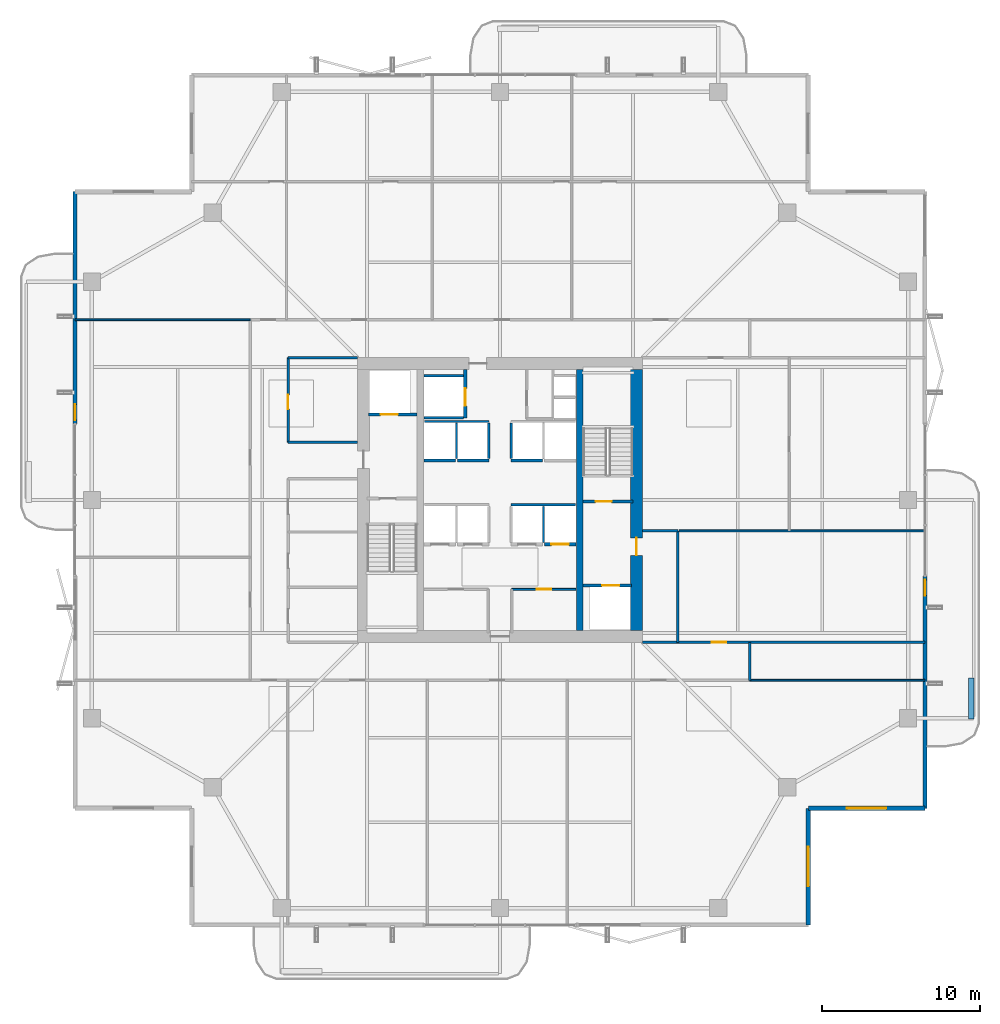
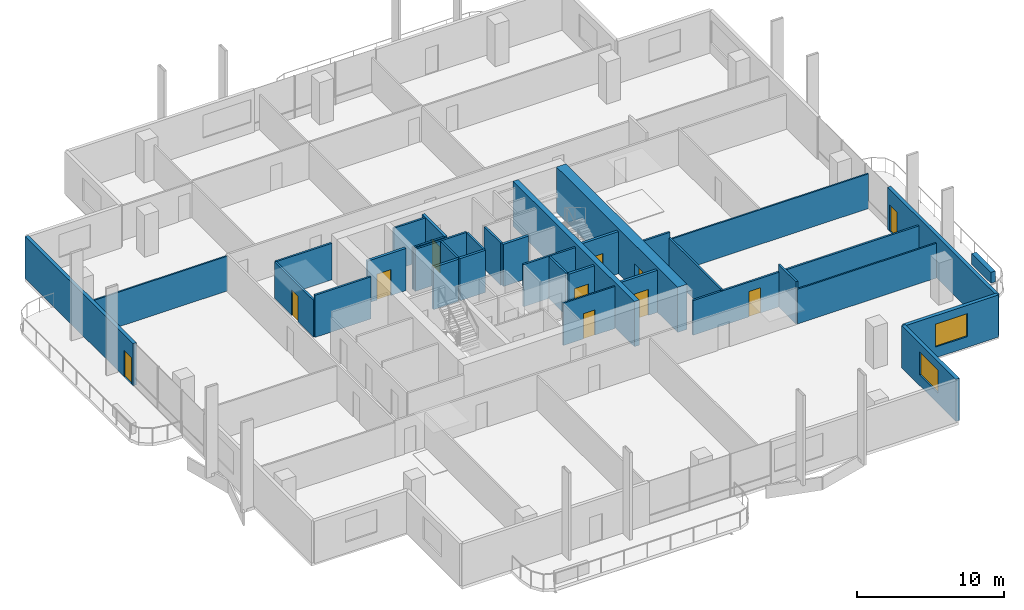
# One storey, part 18 of 24: 34 walls, 11 doors, 2 windows, 13 openings.
"""IFC4 building model written with IfcOpenShell, lengths in metres."""

from ifc_helpers import new_model, si_unit, direction, frame, frame_2d, origin, place, context, subcontext, project, spatial, rectangle, extrude, material, layer, layer_set, type_object, element, fill, save


model = new_model("IFC4")

# Units and contexts
model_context = context("Model", 3, precision=1e-05, world=origin(), true_north=direction((0.0, 1.0)))
body_context = subcontext(model_context, "Body", "Model", "MODEL_VIEW")
ifc_project = project(units=[si_unit("LENGTHUNIT", "METRE"), si_unit("AREAUNIT", "SQUARE_METRE"), si_unit("VOLUMEUNIT", "CUBIC_METRE"), si_unit("PLANEANGLEUNIT", "RADIAN"), si_unit("MASSUNIT", "GRAM", prefix="KILO")], contexts=[model_context])

# Site, building, storey
site_placement = place(None, origin())
site = spatial("IfcSite", under=ifc_project, at=site_placement, CompositionType="ELEMENT")
building_placement = place(site_placement, origin())
building = spatial("IfcBuilding", under=site, at=building_placement, Name="Belovzor Exchange Tower", CompositionType="ELEMENT")
storey_placement = place(building_placement, frame((0.0, 0.0, 218.699951171875)))
storey = spatial("IfcBuildingStorey", under=building, at=storey_placement, Name="L54", CompositionType="ELEMENT", Elevation=218.699951171875)

# Walls
ifc_material_1 = material(Name="Acoustic Plasterboard on Galvanised Studs", Category="gypsum")
ifc_layer_1 = layer(ifc_material_1, 0.1201171875)
ifc_layer_set_1 = layer_set([ifc_layer_1], Name="Acoustic Plasterboard on Galvanised Studs")
wall_type_1 = type_object("IfcWallType", Name="Acoustic Double-Stud Partition Wall 120", PredefinedType="PARTITIONING", material=ifc_layer_set_1)
wall_1_placement = place(storey_placement, frame((40.125, 26.85009765625, 0.0), z_axis=(0.0, 0.0, 1.0), x_axis=(1.0, 0.0, 0.0)))
element("IfcWall", 1, at=wall_1_placement, inside=storey, type_object=wall_type_1, Name="W-P120 Partition Wall W-L54-EDIV-1", PredefinedType="PARTITIONING", context=body_context, shape_type="SweptSolid", body=[
    extrude(rectangle(XDim=15.544921875, YDim=0.1201171875, at=frame_2d((7.7724609375, 0.0))), origin(), (0.0, 0.0, 1.0), 2.885009765625),
])
wall_2_placement = place(storey_placement, frame((44.60009765625, 17.39990234375, 0.0), z_axis=(0.0, 0.0, 1.0), x_axis=(1.0, 0.0, 0.0)))
element("IfcWall", 2, at=wall_2_placement, inside=storey, type_object=wall_type_1, Name="W-P120 Partition Wall W-L54-END-SE", PredefinedType="PARTITIONING", context=body_context, shape_type="SweptSolid", body=[
    extrude(rectangle(XDim=11.06982421875, YDim=0.1201171875, at=frame_2d((5.534912109375, 0.0))), origin(), (0.0, 0.0, 1.0), 2.885009765625),
])
wall_3_placement = place(storey_placement, frame((1.929931640625, 40.199951171875, 0.0), z_axis=(0.0, 0.0, 1.0), x_axis=(1.0, 0.0, 0.0)))
element("IfcWall", 3, at=wall_3_placement, inside=storey, type_object=wall_type_1, Name="W-P120 Partition Wall W-L54-END-NW", PredefinedType="PARTITIONING", context=body_context, shape_type="SweptSolid", body=[
    extrude(rectangle(XDim=11.070068359375, YDim=0.1201171875, at=frame_2d((5.53515625, 0.0))), origin(), (0.0, 0.0, 1.0), 2.885009765625),
])

# Wall, opening, door
ifc_material_2 = material(Name="Fire-Rated Plasterboard on Galvanised Studs", Category="gypsum")
ifc_layer_2 = layer(ifc_material_2, 0.1201171875)
ifc_layer_set_2 = layer_set([ifc_layer_2], Name="Fire-Rated Plasterboard on Galvanised Studs")
wall_type_2 = type_object("IfcWallType", Name="Fire-Rated Double-Stud Partition Wall 120", PredefinedType="PARTITIONING", material=ifc_layer_set_2)
wall_4_placement = place(storey_placement, frame((29.550048828125, 23.14990234375, 0.0), z_axis=(0.0, 0.0, 1.0), x_axis=(1.0, 0.0, 0.0)))
wall_4 = element("IfcWall", 4, at=wall_4_placement, inside=storey, type_object=wall_type_2, Name="W-P120F Partition Wall W-CRL-L54-EN", PredefinedType="PARTITIONING", context=body_context, shape_type="SweptSolid", body=[
    extrude(rectangle(XDim=4.050048828125, YDim=0.1201171875, at=frame_2d((2.02490234375, 0.0))), origin(), (0.0, 0.0, 1.0), 3.5),
])
opening_1_placement = place(wall_4_placement, frame((1.574951171875, 0.0, 0.0)))
opening_1 = element("IfcOpeningElement", 5, at=opening_1_placement, cuts=wall_4, Name="Opening D-FD60-090", PredefinedType="OPENING", context=body_context, shape_type="SweptSolid", body=[
    extrude(rectangle(XDim=0.89990234375, YDim=2.10009765625, at=frame_2d((0.449951171875, 1.050048828125))), frame((0.0, 0.070068359375, 0.0), z_axis=(0.0, -1.0, 0.0), x_axis=(1.0, 0.0, 0.0)), (0.0, 0.0, 1.0), 0.14013671875),
])
ifc_material_3 = material(Name="Acoustic Timber Fire Leaf", Category="wood")
door_type_1 = type_object("IfcDoorType", Name="Core Service & Restroom Fire Door 900x2100", OperationType="NOTDEFINED", PredefinedType="DOOR", material=ifc_material_3)
door_1_placement = place(opening_1_placement, origin())
door_1 = element("IfcDoor", 6, at=door_1_placement, inside=storey, type_object=door_type_1, Name="D-FD60-090 Core Service & Restroom Fire Door 900x2100", OperationType="SINGLE_SWING_RIGHT", OverallHeight=2.10009765625, OverallWidth=0.89990234375, PredefinedType="DOOR", context=body_context, shape_type="SweptSolid", body=[
    extrude(rectangle(XDim=0.89990234375, YDim=2.10009765625, at=frame_2d((0.449951171875, 1.050048828125))), frame((0.0, 0.02490234375, 0.0), z_axis=(0.0, -1.0, 0.0), x_axis=(1.0, 0.0, 0.0)), (0.0, 0.0, 1.0), 0.050048828125),
])
fill(opening_1, door_1)

# Walls
ifc_material_4 = material(Name="Fire-Rated Gypsum Block and Mineral Wool", Category="gypsum")
ifc_layer_3 = layer(ifc_material_4, 0.14990234375)
ifc_layer_set_3 = layer_set([ifc_layer_3], Name="Fire-Rated Gypsum Block and Mineral Wool")
wall_type_3 = type_object("IfcWallType", Name="Fire-Rated Gypsum Block Corridor Wall 150", PredefinedType="PARTITIONING", material=ifc_layer_set_3)
wall_5_placement = place(storey_placement, frame((15.39990234375, 32.449951171875, 0.0), z_axis=(0.0, 0.0, 1.0), x_axis=(1.0, 0.0, 0.0)))
element("IfcWall", 7, at=wall_5_placement, inside=storey, type_object=wall_type_3, Name="W-P150 Partition Wall W-L54-CFW-N", PredefinedType="PARTITIONING", context=body_context, shape_type="SweptSolid", body=[
    extrude(rectangle(XDim=4.400146484375, YDim=0.14990234375, at=frame_2d((2.2001953125, 0.0))), origin(), (0.0, 0.0, 1.0), 3.5),
])
wall_6_placement = place(storey_placement, frame((15.39990234375, 37.800048828125, 0.0), z_axis=(0.0, 0.0, 1.0), x_axis=(1.0, 0.0, 0.0)))
element("IfcWall", 8, at=wall_6_placement, inside=storey, type_object=wall_type_3, Name="W-P150 Partition Wall W-L54-INW-N", PredefinedType="PARTITIONING", context=body_context, shape_type="SweptSolid", body=[
    extrude(rectangle(XDim=4.400146484375, YDim=0.14990234375, at=frame_2d((2.2001953125, 0.0))), origin(), (0.0, 0.0, 1.0), 3.03515625),
])

# Wall, opening, door
wall_7_placement = place(storey_placement, frame((15.39990234375, 32.449951171875, 0.0), z_axis=(0.0, 0.0, 1.0), x_axis=(0.0, 1.0, 0.0)))
wall_7 = element("IfcWall", 9, at=wall_7_placement, inside=storey, type_object=wall_type_3, Name="W-P150 Partition Wall W-L54-WIE-N", PredefinedType="PARTITIONING", context=body_context, shape_type="SweptSolid", body=[
    extrude(rectangle(XDim=5.35009765625, YDim=0.14990234375, at=frame_2d((2.675048828125, 0.0))), origin(), (0.0, 0.0, 1.0), 3.03515625),
])
opening_2_placement = place(wall_7_placement, frame((2.10009765625, 0.0, 0.0)))
opening_2 = element("IfcOpeningElement", 10, at=opening_2_placement, cuts=wall_7, Name="Opening D-FD60-090", PredefinedType="OPENING", context=body_context, shape_type="SweptSolid", body=[
    extrude(rectangle(XDim=0.89990234375, YDim=2.10009765625, at=frame_2d((0.449951171875, 1.050048828125))), frame((0.0, 0.0849609375, 0.0), z_axis=(0.0, -1.0, 0.0), x_axis=(1.0, 0.0, 0.0)), (0.0, 0.0, 1.0), 0.169921875),
])
door_2_placement = place(opening_2_placement, origin())
door_2 = element("IfcDoor", 11, at=door_2_placement, inside=storey, type_object=door_type_1, Name="D-FD60-090 Core Service & Restroom Fire Door 900x2100", OperationType="SINGLE_SWING_LEFT", OverallHeight=2.10009765625, OverallWidth=0.89990234375, PredefinedType="DOOR", context=body_context, shape_type="SweptSolid", body=[
    extrude(rectangle(XDim=0.89990234375, YDim=2.10009765625, at=frame_2d((0.449951171875, 1.050048828125))), frame((0.0, 0.02490234375, 0.0), z_axis=(0.0, -1.0, 0.0), x_axis=(1.0, 0.0, 0.0)), (0.0, 0.0, 1.0), 0.050048828125),
])
fill(opening_2, door_2)

# Walls
wall_8_placement = place(storey_placement, frame((37.800048828125, 26.85009765625, 0.0), z_axis=(0.0, 0.0, 1.0), x_axis=(1.0, 0.0, 0.0)))
element("IfcWall", 12, at=wall_8_placement, inside=storey, type_object=wall_type_3, Name="W-P150 Partition Wall W-L54-CFE-N", PredefinedType="PARTITIONING", context=body_context, shape_type="SweptSolid", body=[
    extrude(rectangle(XDim=2.25, YDim=0.14990234375, at=frame_2d((1.125, 0.0))), origin(), (0.0, 0.0, 1.0), 3.5),
])
wall_9_placement = place(storey_placement, frame((40.050048828125, 19.800048828125, 0.0), z_axis=(0.0, 0.0, 1.0), x_axis=(0.0, 1.0, 0.0)))
element("IfcWall", 13, at=wall_9_placement, inside=storey, type_object=wall_type_3, Name="W-P150 Partition Wall W-L54-CFE-E", PredefinedType="PARTITIONING", context=body_context, shape_type="SweptSolid", body=[
    extrude(rectangle(XDim=7.050048828125, YDim=0.14990234375, at=frame_2d((3.52490234375, 0.0))), origin(), (0.0, 0.0, 1.0), 3.03515625),
])
wall_10_placement = place(storey_placement, frame((44.60009765625, 17.39990234375, 0.0), z_axis=(0.0, 0.0, 1.0), x_axis=(0.0, 1.0, 0.0)))
element("IfcWall", 14, at=wall_10_placement, inside=storey, type_object=wall_type_3, Name="W-P150 Partition Wall W-L54-END-ES", PredefinedType="PARTITIONING", context=body_context, shape_type="SweptSolid", body=[
    extrude(rectangle(XDim=2.400146484375, YDim=0.14990234375, at=frame_2d((1.2001953125, 0.0))), origin(), (0.0, 0.0, 1.0), 3.5),
])

# Wall, opening, door
wall_11_placement = place(storey_placement, frame((37.800048828125, 19.800048828125, 0.0), z_axis=(0.0, 0.0, 1.0), x_axis=(1.0, 0.0, 0.0)))
wall_11 = element("IfcWall", 15, at=wall_11_placement, inside=storey, type_object=wall_type_3, Name="W-P150 Partition Wall W-L54-CS-IN", PredefinedType="PARTITIONING", context=body_context, shape_type="SweptSolid", body=[
    extrude(rectangle(XDim=17.869873046875, YDim=0.14990234375, at=frame_2d((8.93505859375, 0.0))), origin(), (0.0, 0.0, 1.0), 2.885009765625),
])
opening_3_placement = place(wall_11_placement, frame((4.39990234375, 0.0, 0.0)))
opening_3 = element("IfcOpeningElement", 16, at=opening_3_placement, cuts=wall_11, Name="Opening D-INT-090", PredefinedType="OPENING", context=body_context, shape_type="SweptSolid", body=[
    extrude(rectangle(XDim=0.89990234375, YDim=2.10009765625, at=frame_2d((0.449951171875, 1.050048828125))), frame((0.0, 0.0849609375, 0.0), z_axis=(0.0, -1.0, 0.0), x_axis=(1.0, 0.0, 0.0)), (0.0, 0.0, 1.0), 0.169921875),
])
ifc_material_5 = material(Name="Veneered Hardwood Acoustic Leaf", Category="wood")
door_type_2 = type_object("IfcDoorType", Name="Trading Suite Acoustic Single Door 900x2100", OperationType="NOTDEFINED", PredefinedType="DOOR", material=ifc_material_5)
door_3_placement = place(opening_3_placement, origin())
door_3 = element("IfcDoor", 17, at=door_3_placement, inside=storey, type_object=door_type_2, Name="D-INT-090 Trading Suite Acoustic Single Door 900x2100", OperationType="SINGLE_SWING_LEFT", OverallHeight=2.10009765625, OverallWidth=0.89990234375, PredefinedType="DOOR", context=body_context, shape_type="SweptSolid", body=[
    extrude(rectangle(XDim=0.89990234375, YDim=2.10009765625, at=frame_2d((0.449951171875, 1.050048828125))), frame((0.0, 0.02490234375, 0.0), z_axis=(0.0, -1.0, 0.0), x_axis=(1.0, 0.0, 0.0)), (0.0, 0.0, 1.0), 0.050048828125),
])
fill(opening_3, door_3)

# Wall, opening, window
ifc_material_6 = material(Name="Precast concrete C40/50", Category="concrete")
ifc_layer_4 = layer(ifc_material_6, 0.280029296875)
ifc_layer_set_4 = layer_set([ifc_layer_4], Name="Precast concrete C40/50")
wall_type_4 = type_object("IfcWallType", Name="Precast Concrete Notched Corner Frame Wall 280", PredefinedType="SOLIDWALL", material=ifc_layer_set_4)
wall_12_placement = place(storey_placement, frame((55.669921875, 9.300048828125, 0.0), z_axis=(0.0, 0.0, 1.0), x_axis=(-1.0, 0.0, 0.0)))
wall_12 = element("IfcWall", 18, at=wall_12_placement, inside=storey, type_object=wall_type_4, Name="W-CRN280 Precast Concrete Notched Corner Frame Wall 280 L54", PredefinedType="SOLIDWALL", context=body_context, shape_type="SweptSolid", body=[
    extrude(rectangle(XDim=7.369873046875, YDim=0.280029296875, at=frame_2d((3.68505859375, 0.0))), origin(), (0.0, 0.0, 1.0), 3.5),
])
opening_4_placement = place(wall_12_placement, frame((2.43505859375, 0.0, 0.89990234375)))
opening_4 = element("IfcOpeningElement", 19, at=opening_4_placement, cuts=wall_12, Name="Opening WN-CRN250", PredefinedType="OPENING", context=body_context, shape_type="SweptSolid", body=[
    extrude(rectangle(XDim=2.5, YDim=1.89990234375, at=frame_2d((1.25, 0.949951171875))), frame((0.0, 0.14990234375, 0.0), z_axis=(0.0, -1.0, 0.0), x_axis=(1.0, 0.0, 0.0)), (0.0, 0.0, 1.0), 0.300048828125),
])
ifc_material_7 = material(Name="Thermally Broken Aluminium and Triple Glazing", Category="aluminium")
window_type = type_object("IfcWindowType", Name="Streamline Moderne Corner Wrap Ribbon Window 2500x1900", PartitioningType="SINGLE_PANEL", PredefinedType="WINDOW", material=ifc_material_7)
window_1_placement = place(opening_4_placement, origin())
window_1 = element("IfcWindow", 20, at=window_1_placement, inside=storey, type_object=window_type, Name="WN-CRN250 Streamline Moderne Corner Wrap Ribbon Window 2500x1900", OverallHeight=1.89990234375, OverallWidth=2.5, PartitioningType="SINGLE_PANEL", PredefinedType="WINDOW", context=body_context, shape_type="SweptSolid", body=[
    extrude(rectangle(XDim=2.5, YDim=1.89990234375, at=frame_2d((1.25, 0.949951171875))), frame((0.0, 0.030029296875, 0.0), z_axis=(0.0, -1.0, 0.0), x_axis=(1.0, 0.0, 0.0)), (0.0, 0.0, 1.0), 0.06005859375),
])
fill(opening_4, window_1)

wall_13_placement = place(storey_placement, frame((48.300048828125, 9.300048828125, 0.0), z_axis=(0.0, 0.0, 1.0), x_axis=(0.0, -1.0, 0.0)))
wall_13 = element("IfcWall", 21, at=wall_13_placement, inside=storey, type_object=wall_type_4, Name="W-CRN280 Precast Concrete Notched Corner Frame Wall 280 L54", PredefinedType="SOLIDWALL", context=body_context, shape_type="SweptSolid", body=[
    extrude(rectangle(XDim=7.3701171875, YDim=0.280029296875, at=frame_2d((3.68505859375, 0.0))), origin(), (0.0, 0.0, 1.0), 3.5),
])
opening_5_placement = place(wall_13_placement, frame((2.43505859375, 0.0, 0.89990234375)))
opening_5 = element("IfcOpeningElement", 22, at=opening_5_placement, cuts=wall_13, Name="Opening WN-CRN250", PredefinedType="OPENING", context=body_context, shape_type="SweptSolid", body=[
    extrude(rectangle(XDim=2.5, YDim=1.89990234375, at=frame_2d((1.25, 0.949951171875))), frame((0.0, 0.14990234375, 0.0), z_axis=(0.0, -1.0, 0.0), x_axis=(1.0, 0.0, 0.0)), (0.0, 0.0, 1.0), 0.300048828125),
])
window_2_placement = place(opening_5_placement, origin())
window_2 = element("IfcWindow", 23, at=window_2_placement, inside=storey, type_object=window_type, Name="WN-CRN250 Streamline Moderne Corner Wrap Ribbon Window 2500x1900", OverallHeight=1.89990234375, OverallWidth=2.5, PartitioningType="SINGLE_PANEL", PredefinedType="WINDOW", context=body_context, shape_type="SweptSolid", body=[
    extrude(rectangle(XDim=2.5, YDim=1.89990234375, at=frame_2d((1.25, 0.949951171875))), frame((0.0, 0.030029296875, 0.0), z_axis=(0.0, -1.0, 0.0), x_axis=(1.0, 0.0, 0.0)), (0.0, 0.0, 1.0), 0.06005859375),
])
fill(opening_5, window_2)

# Wall, opening, door
ifc_material_8 = material(Name="Precast concrete C40/50", Category="concrete")
ifc_layer_5 = layer(ifc_material_8, 0.260009765625)
ifc_layer_set_5 = layer_set([ifc_layer_5], Name="Precast concrete C40/50")
wall_type_5 = type_object("IfcWallType", Name="Precast Concrete Perimeter Loggia Frame Wall 260", PredefinedType="SOLIDWALL", material=ifc_layer_set_5)
wall_14_placement = place(storey_placement, frame((1.929931640625, 33.60009765625, 0.0), z_axis=(0.0, 0.0, 1.0), x_axis=(0.0, 1.0, 0.0)))
wall_14 = element("IfcWall", 24, at=wall_14_placement, inside=storey, type_object=wall_type_5, Name="W-EXT260 Precast Concrete Perimeter Loggia Frame Wall 260 L54", PredefinedType="SOLIDWALL", context=body_context, shape_type="SweptSolid", body=[
    extrude(rectangle(XDim=14.699951171875, YDim=0.260009765625, at=frame_2d((7.35009765625, 0.0))), origin(), (0.0, 0.0, 1.0), 3.5),
])
opening_6_placement = place(wall_14_placement, frame((0.25, 0.0, 0.0)))
opening_6 = element("IfcOpeningElement", 25, at=opening_6_placement, cuts=wall_14, Name="Opening D-BAL100", PredefinedType="OPENING", context=body_context, shape_type="SweptSolid", body=[
    extrude(rectangle(XDim=1.0, YDim=2.199951171875, at=frame_2d((0.5, 1.10009765625))), frame((0.0, 0.139892578125, 0.0), z_axis=(0.0, -1.0, 0.0), x_axis=(1.0, 0.0, 0.0)), (0.0, 0.0, 1.0), 0.280029296875),
])
ifc_material_9 = material(Name="Thermally Broken Anodised Aluminium and Laminated Glass", Category="aluminium")
door_type_3 = type_object("IfcDoorType", Name="Planted Loggia Terrace Glazed Door 1000x2200", OperationType="SINGLE_SWING_LEFT", PredefinedType="DOOR", material=ifc_material_9)
door_4_placement = place(opening_6_placement, origin())
door_4 = element("IfcDoor", 26, at=door_4_placement, inside=storey, type_object=door_type_3, Name="D-BAL100 Balcony Terrace Door L54 W", OperationType="SINGLE_SWING_RIGHT", OverallHeight=2.199951171875, OverallWidth=1.0, PredefinedType="DOOR", context=body_context, shape_type="SweptSolid", body=[
    extrude(rectangle(XDim=1.0, YDim=2.199951171875, at=frame_2d((0.5, 1.10009765625))), frame((0.0, 0.02490234375, 0.0), z_axis=(0.0, -1.0, 0.0), x_axis=(1.0, 0.0, 0.0)), (0.0, 0.0, 1.0), 0.050048828125),
])
fill(opening_6, door_4)

wall_15_placement = place(storey_placement, frame((55.669921875, 24.0, 0.0), z_axis=(0.0, 0.0, 1.0), x_axis=(0.0, -1.0, 0.0)))
wall_15 = element("IfcWall", 27, at=wall_15_placement, inside=storey, type_object=wall_type_5, Name="W-EXT260 Precast Concrete Perimeter Loggia Frame Wall 260 L54", PredefinedType="SOLIDWALL", context=body_context, shape_type="SweptSolid", body=[
    extrude(rectangle(XDim=14.699951171875, YDim=0.260009765625, at=frame_2d((7.35009765625, 0.0))), origin(), (0.0, 0.0, 1.0), 3.5),
])
opening_7_placement = place(wall_15_placement, frame((0.25, 0.0, 0.0)))
opening_7 = element("IfcOpeningElement", 28, at=opening_7_placement, cuts=wall_15, Name="Opening D-BAL100", PredefinedType="OPENING", context=body_context, shape_type="SweptSolid", body=[
    extrude(rectangle(XDim=1.0, YDim=2.199951171875, at=frame_2d((0.5, 1.10009765625))), frame((0.0, 0.139892578125, 0.0), z_axis=(0.0, -1.0, 0.0), x_axis=(1.0, 0.0, 0.0)), (0.0, 0.0, 1.0), 0.280029296875),
])
door_5_placement = place(opening_7_placement, origin())
door_5 = element("IfcDoor", 29, at=door_5_placement, inside=storey, type_object=door_type_3, Name="D-BAL100 Balcony Terrace Door L54 E", OperationType="SINGLE_SWING_LEFT", OverallHeight=2.199951171875, OverallWidth=1.0, PredefinedType="DOOR", context=body_context, shape_type="SweptSolid", body=[
    extrude(rectangle(XDim=1.0, YDim=2.199951171875, at=frame_2d((0.5, 1.10009765625))), frame((0.0, 0.02490234375, 0.0), z_axis=(0.0, -1.0, 0.0), x_axis=(1.0, 0.0, 0.0)), (0.0, 0.0, 1.0), 0.050048828125),
])
fill(opening_7, door_5)

# Walls
ifc_material_10 = material(Name="Precast concrete C40/50", Category="concrete")
ifc_layer_6 = layer(ifc_material_10, 0.35009765625)
ifc_layer_set_6 = layer_set([ifc_layer_6], Name="Precast concrete C40/50")
wall_type_6 = type_object("IfcWallType", Name="Precast Concrete Structural Tree Planter Trough 350", PredefinedType="PARAPET", material=ifc_layer_set_6)
wall_16_placement = place(storey_placement, frame((58.60009765625, 14.949951171875, 0.0), z_axis=(0.0, 0.0, 1.0), x_axis=(0.0, 1.0, 0.0)))
element("IfcWall", 30, at=wall_16_placement, inside=storey, type_object=wall_type_6, Name="PT-350 Precast Concrete Structural Tree Planter Trough 350 L54", PredefinedType="PARAPET", context=body_context, shape_type="SweptSolid", body=[
    extrude(rectangle(XDim=2.60009765625, YDim=0.35009765625, at=frame_2d((1.300048828125, 0.0))), origin(), (0.0, 0.0, 1.0), 0.900146484375),
])
ifc_material_11 = material(Name="Concrete C50/60", Category="concrete")
ifc_layer_7 = layer(ifc_material_11, 0.39990234375)
ifc_layer_set_7 = layer_set([ifc_layer_7], Name="Concrete C50/60")
wall_type_7 = type_object("IfcWallType", Name="Reinforced Concrete Core Internal Web Wall 400", PredefinedType="SHEAR", material=ifc_layer_set_7)
wall_17_placement = place(storey_placement, frame((33.85009765625, 20.550048828125, 0.0), z_axis=(0.0, 0.0, 1.0), x_axis=(0.0, 1.0, 0.0)))
element("IfcWall", 31, at=wall_17_placement, inside=storey, type_object=wall_type_7, Name="CW-W040 Core Internal Web Wall L54 ER", PredefinedType="SHEAR", context=body_context, shape_type="SweptSolid", body=[
    extrude(rectangle(XDim=16.5, YDim=0.39990234375, at=frame_2d((8.25, 0.0))), origin(), (0.0, 0.0, 1.0), 3.75),
])
ifc_material_12 = material(Name="Concrete C50/60", Category="concrete")
ifc_layer_8 = layer(ifc_material_12, 0.14990234375)
ifc_layer_set_8 = layer_set([ifc_layer_8], Name="Concrete C50/60")
wall_type_8 = type_object("IfcWallType", Name="Reinforced Concrete Core Riser Shear Wall 150", PredefinedType="SHEAR", material=ifc_layer_set_8)
for number, where, z_axis, x_axis, name in (
    (32, (24.0, 34.0, 0.0), (0.0, 0.0, 1.0), (1.0, 0.0, 0.0), "W-C150S Core Shaft Wall W-SH-L54-SL-01S"),
    (33, (24.0, 36.64990234375, 0.0), (0.0, 0.0, 1.0), (1.0, 0.0, 0.0), "W-C150S Core Shaft Wall W-SH-L54-SL-01N"),
):
    element("IfcWall", number, at=place(storey_placement, frame(where, z_axis=z_axis, x_axis=x_axis)), inside=storey, type_object=wall_type_8, Name=name, PredefinedType="SHEAR", context=body_context, shape_type="SweptSolid", body=[
        extrude(rectangle(XDim=2.47998046875, YDim=0.14990234375, at=frame_2d((1.239990234375, 0.0))), origin(), (0.0, 0.0, 1.0), 3.5),
    ])
wall_18_placement = place(storey_placement, frame((29.5, 28.5, 0.0), z_axis=(0.0, 0.0, 1.0), x_axis=(1.0, 0.0, 0.0)))
element("IfcWall", 34, at=wall_18_placement, inside=storey, type_object=wall_type_8, Name="W-C150S Core Shaft Wall W-SHB-L54-PLM-NE", PredefinedType="SHEAR", context=body_context, shape_type="SweptSolid", body=[
    extrude(rectangle(XDim=4.080078125, YDim=0.14990234375, at=frame_2d((2.0400390625, 0.0))), origin(), (0.0, 0.0, 1.0), 3.5),
])
wall_19_placement = place(storey_placement, frame((31.550048828125, 26.1201171875, 0.0), z_axis=(0.0, 0.0, 1.0), x_axis=(0.0, 1.0, 0.0)))
element("IfcWall", 35, at=wall_19_placement, inside=storey, type_object=wall_type_8, Name="W-C150S Core Shaft Wall W-SHD-L54-PLM-4", PredefinedType="SHEAR", context=body_context, shape_type="SweptSolid", body=[
    extrude(rectangle(XDim=2.27978515625, YDim=0.14990234375, at=frame_2d((1.139892578125, 0.0))), origin(), (0.0, 0.0, 1.0), 3.5),
])
wall_20_placement = place(storey_placement, frame((24.02001953125, 33.760009765625, 0.0), z_axis=(0.0, 0.0, 1.0), x_axis=(1.0, 0.0, 0.0)))
element("IfcWall", 36, at=wall_20_placement, inside=storey, type_object=wall_type_8, Name="W-C150S Core Shaft Wall W-SHB-L54-PLH-NW", PredefinedType="SHEAR", context=body_context, shape_type="SweptSolid", body=[
    extrude(rectangle(XDim=4.080078125, YDim=0.14990234375, at=frame_2d((2.0400390625, 0.0))), origin(), (0.0, 0.0, 1.0), 3.5),
])
for number, where, z_axis, x_axis, name in (
    (37, (26.050048828125, 31.419921875, 0.0), (0.0, 0.0, 1.0), (0.0, 1.0, 0.0), "W-C150S Core Shaft Wall W-SHD-L54-PLH-1"),
    (38, (28.10009765625, 31.419921875, 0.0), (0.0, 0.0, 1.0), (0.0, 1.0, 0.0), "W-C150S Core Shaft Wall W-SHD-L54-PLH-2"),
    (39, (29.5, 31.419921875, 0.0), (0.0, 0.0, 1.0), (0.0, 1.0, 0.0), "W-C150S Core Shaft Wall W-SHD-L54-PLH-3"),
):
    element("IfcWall", number, at=place(storey_placement, frame(where, z_axis=z_axis, x_axis=x_axis)), inside=storey, type_object=wall_type_8, Name=name, PredefinedType="SHEAR", context=body_context, shape_type="SweptSolid", body=[
        extrude(rectangle(XDim=2.239990234375, YDim=0.14990234375, at=frame_2d((1.1201171875, 0.0))), origin(), (0.0, 0.0, 1.0), 3.5),
    ])

# Wall, opening, door
ifc_material_13 = material(Name="Concrete C50/60", Category="concrete")
ifc_layer_9 = layer(ifc_material_13, 0.199951171875)
ifc_layer_set_9 = layer_set([ifc_layer_9], Name="Concrete C50/60")
wall_type_9 = type_object("IfcWallType", Name="Reinforced Concrete Core Shaft Shear Wall 200", PredefinedType="SHEAR", material=ifc_layer_set_9)
wall_21_placement = place(storey_placement, frame((34.050048828125, 28.699951171875, 0.0), z_axis=(0.0, 0.0, 1.0), x_axis=(1.0, 0.0, 0.0)))
wall_21 = element("IfcWall", 40, at=wall_21_placement, inside=storey, type_object=wall_type_9, Name="W-C200S Core Shaft Wall W-CORE-L54-FFLE2", PredefinedType="SHEAR", context=body_context, shape_type="SweptSolid", body=[
    extrude(rectangle(XDim=3.14990234375, YDim=0.199951171875, at=frame_2d((1.574951171875, 0.0))), origin(), (0.0, 0.0, 1.0), 3.5),
])
opening_8_placement = place(wall_21_placement, frame((0.800048828125, 0.0, 0.0)))
opening_8 = element("IfcOpeningElement", 41, at=opening_8_placement, cuts=wall_21, Name="Opening D-FD90-100", PredefinedType="OPENING", context=body_context, shape_type="SweptSolid", body=[
    extrude(rectangle(XDim=1.0, YDim=2.10009765625, at=frame_2d((0.5, 1.050048828125))), frame((0.0, 0.10986328125, 0.0), z_axis=(0.0, -1.0, 0.0), x_axis=(1.0, 0.0, 0.0)), (0.0, 0.0, 1.0), 0.219970703125),
])
ifc_material_14 = material(Name="Fire-Rated Galvanised Steel Leaf", Category="steel")
door_type_4 = type_object("IfcDoorType", Name="Protected Stairwell Single Fire Door 1000x2100", OperationType="NOTDEFINED", PredefinedType="DOOR", material=ifc_material_14)
door_6_placement = place(opening_8_placement, origin())
door_6 = element("IfcDoor", 42, at=door_6_placement, inside=storey, type_object=door_type_4, Name="D-FD90-100 Protected Stairwell Single Fire Door 1000x2100", OperationType="SINGLE_SWING_LEFT", OverallHeight=2.10009765625, OverallWidth=1.0, PredefinedType="DOOR", context=body_context, shape_type="SweptSolid", body=[
    extrude(rectangle(XDim=1.0, YDim=2.10009765625, at=frame_2d((0.5, 1.050048828125))), frame((0.0, 0.02490234375, 0.0), z_axis=(0.0, -1.0, 0.0), x_axis=(1.0, 0.0, 0.0)), (0.0, 0.0, 1.0), 0.050048828125),
])
fill(opening_8, door_6)

wall_22_placement = place(storey_placement, frame((20.5, 34.199951171875, 0.0), z_axis=(0.0, 0.0, 1.0), x_axis=(1.0, 0.0, 0.0)))
wall_22 = element("IfcWall", 43, at=wall_22_placement, inside=storey, type_object=wall_type_9, Name="W-C200S Core Shaft Wall W-SH-L54-FFL-01", PredefinedType="SHEAR", context=body_context, shape_type="SweptSolid", body=[
    extrude(rectangle(XDim=3.050048828125, YDim=0.199951171875, at=frame_2d((1.52490234375, 0.0))), origin(), (0.0, 0.0, 1.0), 3.5),
])
opening_9_placement = place(wall_22_placement, frame((0.75, 0.0, 0.0)))
opening_9 = element("IfcOpeningElement", 44, at=opening_9_placement, cuts=wall_22, Name="Opening LD-110", PredefinedType="OPENING", context=body_context, shape_type="SweptSolid", body=[
    extrude(rectangle(XDim=1.10009765625, YDim=2.14990234375, at=frame_2d((0.550048828125, 1.074951171875))), frame((0.0, 0.10986328125, 0.0), z_axis=(0.0, -1.0, 0.0), x_axis=(1.0, 0.0, 0.0)), (0.0, 0.0, 1.0), 0.219970703125),
])
ifc_material_15 = material(Name="Stainless Steel Grade 304", Category="steel")
door_type_5 = type_object("IfcDoorType", Name="Automated Stainless Steel Lift Landing Door 1100x2150", OperationType="SLIDING_TO_RIGHT", PredefinedType="DOOR", material=ifc_material_15)
door_7_placement = place(opening_9_placement, origin())
door_7 = element("IfcDoor", 45, at=door_7_placement, inside=storey, type_object=door_type_5, Name="LD-110 Automated Stainless Steel Lift Landing Door 1100x2150", OperationType="SLIDING_TO_RIGHT", OverallHeight=2.14990234375, OverallWidth=1.10009765625, PredefinedType="DOOR", context=body_context, shape_type="SweptSolid", body=[
    extrude(rectangle(XDim=1.10009765625, YDim=2.14990234375, at=frame_2d((0.550048828125, 1.074951171875))), frame((0.0, 0.02490234375, 0.0), z_axis=(0.0, -1.0, 0.0), x_axis=(1.0, 0.0, 0.0)), (0.0, 0.0, 1.0), 0.050048828125),
])
fill(opening_9, door_7)

wall_23_placement = place(storey_placement, frame((34.050048828125, 23.39990234375, 0.0), z_axis=(0.0, 0.0, 1.0), x_axis=(1.0, 0.0, 0.0)))
wall_23 = element("IfcWall", 46, at=wall_23_placement, inside=storey, type_object=wall_type_9, Name="W-C200S Core Shaft Wall W-SH-L54-FFL-02", PredefinedType="SHEAR", context=body_context, shape_type="SweptSolid", body=[
    extrude(rectangle(XDim=3.050048828125, YDim=0.199951171875, at=frame_2d((1.52490234375, 0.0))), origin(), (0.0, 0.0, 1.0), 3.5),
])
opening_10_placement = place(wall_23_placement, frame((1.199951171875, 0.0, 0.0)))
opening_10 = element("IfcOpeningElement", 47, at=opening_10_placement, cuts=wall_23, Name="Opening LD-110", PredefinedType="OPENING", context=body_context, shape_type="SweptSolid", body=[
    extrude(rectangle(XDim=1.10009765625, YDim=2.14990234375, at=frame_2d((0.550048828125, 1.074951171875))), frame((0.0, 0.10986328125, 0.0), z_axis=(0.0, -1.0, 0.0), x_axis=(1.0, 0.0, 0.0)), (0.0, 0.0, 1.0), 0.219970703125),
])
door_8_placement = place(opening_10_placement, origin())
door_8 = element("IfcDoor", 48, at=door_8_placement, inside=storey, type_object=door_type_5, Name="LD-110 Automated Stainless Steel Lift Landing Door 1100x2150", OperationType="SLIDING_TO_RIGHT", OverallHeight=2.14990234375, OverallWidth=1.10009765625, PredefinedType="DOOR", context=body_context, shape_type="SweptSolid", body=[
    extrude(rectangle(XDim=1.10009765625, YDim=2.14990234375, at=frame_2d((0.550048828125, 1.074951171875))), frame((0.0, 0.02490234375, 0.0), z_axis=(0.0, -1.0, 0.0), x_axis=(1.0, 0.0, 0.0)), (0.0, 0.0, 1.0), 0.050048828125),
])
fill(opening_10, door_8)

wall_24_placement = place(storey_placement, frame((26.60009765625, 34.0, 0.0), z_axis=(0.0, 0.0, 1.0), x_axis=(0.0, 1.0, 0.0)))
wall_24 = element("IfcWall", 49, at=wall_24_placement, inside=storey, type_object=wall_type_9, Name="W-C200S Core Shaft Wall W-SH-L54-SL-01", PredefinedType="SHEAR", context=body_context, shape_type="SweptSolid", body=[
    extrude(rectangle(XDim=3.050048828125, YDim=0.199951171875, at=frame_2d((1.52490234375, 0.0))), origin(), (0.0, 0.0, 1.0), 3.5),
])
opening_11_placement = place(wall_24_placement, frame((0.75, 0.0, 0.0)))
opening_11 = element("IfcOpeningElement", 50, at=opening_11_placement, cuts=wall_24, Name="Opening LD-110", PredefinedType="OPENING", context=body_context, shape_type="SweptSolid", body=[
    extrude(rectangle(XDim=1.10009765625, YDim=2.14990234375, at=frame_2d((0.550048828125, 1.074951171875))), frame((0.0, 0.10986328125, 0.0), z_axis=(0.0, -1.0, 0.0), x_axis=(1.0, 0.0, 0.0)), (0.0, 0.0, 1.0), 0.219970703125),
])
door_9_placement = place(opening_11_placement, origin())
door_9 = element("IfcDoor", 51, at=door_9_placement, inside=storey, type_object=door_type_5, Name="LD-110 Automated Stainless Steel Lift Landing Door 1100x2150", OperationType="SLIDING_TO_RIGHT", OverallHeight=2.14990234375, OverallWidth=1.10009765625, PredefinedType="DOOR", context=body_context, shape_type="SweptSolid", body=[
    extrude(rectangle(XDim=1.10009765625, YDim=2.14990234375, at=frame_2d((0.550048828125, 1.074951171875))), frame((0.0, 0.02490234375, 0.0), z_axis=(0.0, -1.0, 0.0), x_axis=(1.0, 0.0, 0.0)), (0.0, 0.0, 1.0), 0.050048828125),
])
fill(opening_11, door_9)

wall_25_placement = place(storey_placement, frame((31.60009765625, 26.0, 0.0), z_axis=(0.0, 0.0, 1.0), x_axis=(1.0, 0.0, 0.0)))
wall_25 = element("IfcWall", 52, at=wall_25_placement, inside=storey, type_object=wall_type_9, Name="W-C200S Core Shaft Wall W-SH-L54-PL-M4", PredefinedType="SHEAR", context=body_context, shape_type="SweptSolid", body=[
    extrude(rectangle(XDim=2.0, YDim=0.199951171875, at=frame_2d((1.0, 0.0))), origin(), (0.0, 0.0, 1.0), 3.5),
])
opening_12_placement = place(wall_25_placement, frame((0.449951171875, 0.0, 0.0)))
opening_12 = element("IfcOpeningElement", 53, at=opening_12_placement, cuts=wall_25, Name="Opening LD-110", PredefinedType="OPENING", context=body_context, shape_type="SweptSolid", body=[
    extrude(rectangle(XDim=1.10009765625, YDim=2.14990234375, at=frame_2d((0.550048828125, 1.074951171875))), frame((0.0, 0.10986328125, 0.0), z_axis=(0.0, -1.0, 0.0), x_axis=(1.0, 0.0, 0.0)), (0.0, 0.0, 1.0), 0.219970703125),
])
door_10_placement = place(opening_12_placement, origin())
door_10 = element("IfcDoor", 54, at=door_10_placement, inside=storey, type_object=door_type_5, Name="LD-110 Automated Stainless Steel Lift Landing Door 1100x2150", OperationType="SLIDING_TO_RIGHT", OverallHeight=2.14990234375, OverallWidth=1.10009765625, PredefinedType="DOOR", context=body_context, shape_type="SweptSolid", body=[
    extrude(rectangle(XDim=1.10009765625, YDim=2.14990234375, at=frame_2d((0.550048828125, 1.074951171875))), frame((0.0, 0.02490234375, 0.0), z_axis=(0.0, -1.0, 0.0), x_axis=(1.0, 0.0, 0.0)), (0.0, 0.0, 1.0), 0.050048828125),
])
fill(opening_12, door_10)

# Walls
for number, where, z_axis, x_axis, name in (
    (55, (24.0, 31.300048828125, 0.0), (0.0, 0.0, 1.0), (1.0, 0.0, 0.0), "W-C200S Core Shaft Wall W-SH-L54-PL-H1"),
    (56, (26.10009765625, 31.300048828125, 0.0), (0.0, 0.0, 1.0), (1.0, 0.0, 0.0), "W-C200S Core Shaft Wall W-SH-L54-PL-H2"),
    (57, (29.5, 31.300048828125, 0.0), (0.0, 0.0, 1.0), (1.0, 0.0, 0.0), "W-C200S Core Shaft Wall W-SH-L54-PL-H3"),
):
    element("IfcWall", number, at=place(storey_placement, frame(where, z_axis=z_axis, x_axis=x_axis)), inside=storey, type_object=wall_type_9, Name=name, PredefinedType="SHEAR", context=body_context, shape_type="SweptSolid", body=[
        extrude(rectangle(XDim=2.0, YDim=0.199951171875, at=frame_2d((1.0, 0.0))), origin(), (0.0, 0.0, 1.0), 3.5),
    ])

# Wall, opening, door
ifc_material_16 = material(Name="Concrete C50/60", Category="concrete")
ifc_layer_10 = layer(ifc_material_16, 0.75)
ifc_layer_set_10 = layer_set([ifc_layer_10], Name="Concrete C50/60")
wall_type_10 = type_object("IfcWallType", Name="Reinforced Concrete Core Shear Wall 750", PredefinedType="SHEAR", material=ifc_layer_set_10)
wall_26_placement = place(storey_placement, frame((37.425048828125, 20.550048828125, 0.0), z_axis=(0.0, 0.0, 1.0), x_axis=(0.0, 1.0, 0.0)))
wall_26 = element("IfcWall", 58, at=wall_26_placement, inside=storey, type_object=wall_type_10, Name="CW-S075 Core Shear Wall L54 E", PredefinedType="SHEAR", context=body_context, shape_type="SweptSolid", body=[
    extrude(rectangle(XDim=16.5, YDim=0.75, at=frame_2d((8.25, 0.0))), origin(), (0.0, 0.0, 1.0), 3.75),
])
opening_13_placement = place(wall_26_placement, frame((4.75, 0.0, 0.0)))
opening_13 = element("IfcOpeningElement", 59, at=opening_13_placement, cuts=wall_26, Name="Opening D-FD90-110", PredefinedType="OPENING", context=body_context, shape_type="SweptSolid", body=[
    extrude(rectangle(XDim=1.10009765625, YDim=2.14990234375, at=frame_2d((0.550048828125, 1.074951171875))), frame((0.0, 0.385009765625, 0.0), z_axis=(0.0, -1.0, 0.0), x_axis=(1.0, 0.0, 0.0)), (0.0, 0.0, 1.0), 0.77001953125),
])
ifc_material_17 = material(Name="Fire-Rated Galvanised Steel Leaf", Category="steel")
door_type_6 = type_object("IfcDoorType", Name="Protected Escape Vestibule Fire Door 1100x2150", OperationType="NOTDEFINED", PredefinedType="DOOR", material=ifc_material_17)
door_11_placement = place(opening_13_placement, origin())
door_11 = element("IfcDoor", 60, at=door_11_placement, inside=storey, type_object=door_type_6, Name="D-FD90-110 Protected Escape Vestibule Fire Door 1100x2150", OperationType="SINGLE_SWING_RIGHT", OverallHeight=2.14990234375, OverallWidth=1.10009765625, PredefinedType="DOOR", context=body_context, shape_type="SweptSolid", body=[
    extrude(rectangle(XDim=1.10009765625, YDim=2.14990234375, at=frame_2d((0.550048828125, 1.074951171875))), frame((0.0, 0.02490234375, 0.0), z_axis=(0.0, -1.0, 0.0), x_axis=(1.0, 0.0, 0.0)), (0.0, 0.0, 1.0), 0.050048828125),
])
fill(opening_13, door_11)

save(model, "model.ifc")
